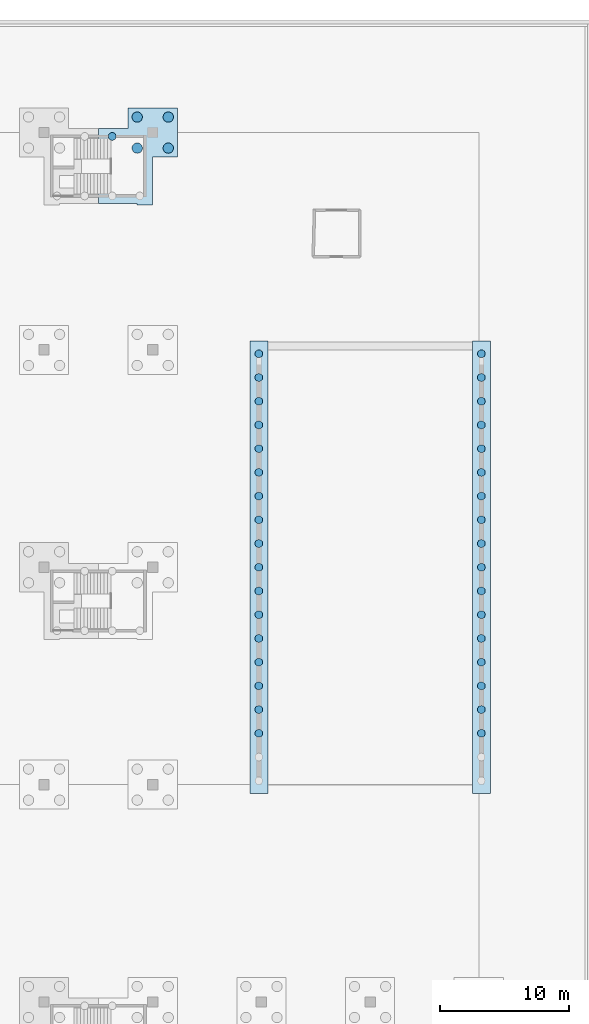
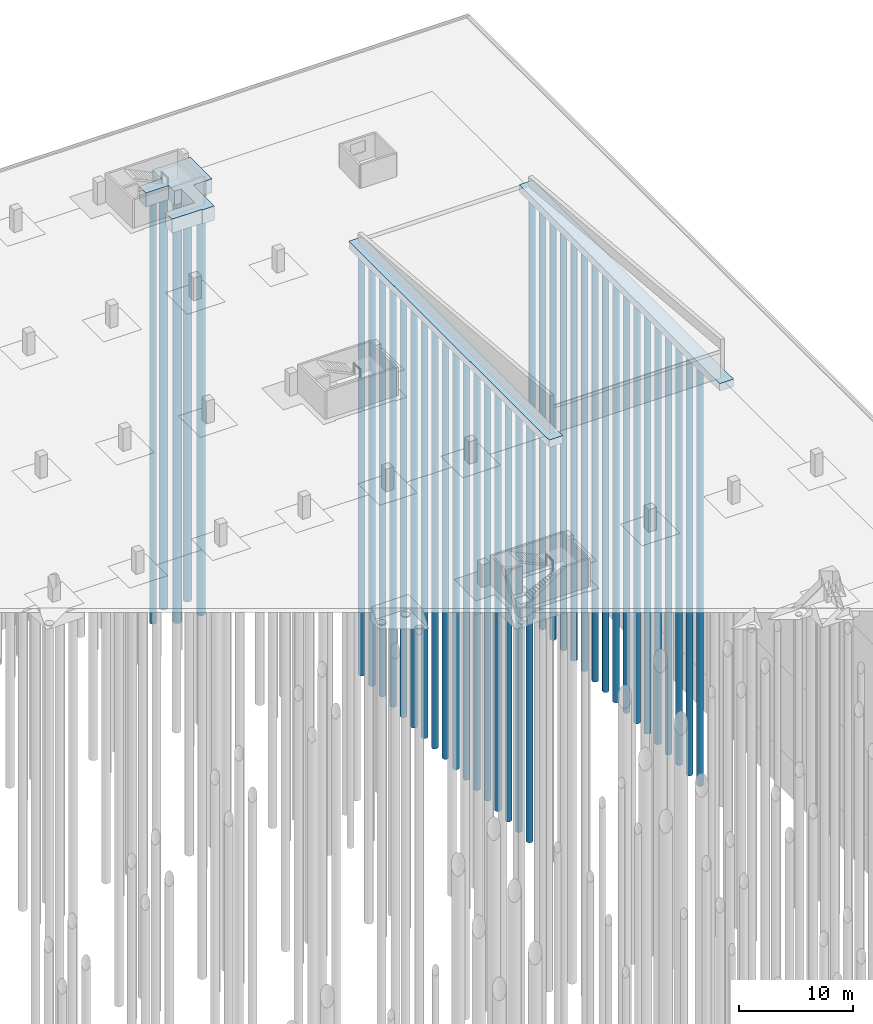
# One storey, part 25 of 67: 39 piles, 3 footings.
"""IFC4 building model written with IfcOpenShell, lengths in metres."""

from ifc_helpers import new_model, si_unit, direction, frame, origin, origin_2d, place, context, subcontext, project, spatial, polyline, circle, outline, extrude, material, material_profile, profile_set, type_object, element, save


model = new_model("IFC4")

# Units and contexts
model_context = context("Model", 3, precision=1e-05, world=origin(), true_north=direction((0.0, 1.0)))
body_context = subcontext(model_context, "Body", "Model", "MODEL_VIEW")
ifc_project = project(units=[si_unit("LENGTHUNIT", "METRE"), si_unit("AREAUNIT", "SQUARE_METRE"), si_unit("VOLUMEUNIT", "CUBIC_METRE"), si_unit("PLANEANGLEUNIT", "RADIAN"), si_unit("MASSUNIT", "GRAM", prefix="KILO")], contexts=[model_context])

# Site, building, storey
site_placement = place(None, origin())
site = spatial("IfcSite", under=ifc_project, at=site_placement, CompositionType="ELEMENT")
building_placement = place(site_placement, origin())
building = spatial("IfcBuilding", under=site, at=building_placement, Name="Rain Tree Exposition and Congress Centre", CompositionType="ELEMENT")
storey_placement = place(building_placement, frame((0.0, 0.0, -3.0)))
storey = spatial("IfcBuildingStorey", under=building, at=storey_placement, Name="B1", CompositionType="ELEMENT", Elevation=-3.0)

# Piles
ifc_material_1 = material(Name="Concrete C35/45", Category="concrete")
ifc_material_profile_1 = material_profile(ifc_material_1, circle(Radius=0.300048828125, at=origin_2d()), Name="D600")
ifc_profile_set_1 = profile_set([ifc_material_profile_1], Name="Concrete C35/45")
pile_type_1 = type_object("IfcPileType", Name="Bored pile D600", PredefinedType="BORED", material=ifc_profile_set_1)
for number, where, z_axis, x_axis, name in (
    (1, (269.0, 268.5, -0.72509765625), (0.0, 0.0, -1.0), (1.0, 0.0, 0.0), "Bored pile 1454"),
    (2, (269.0, 266.666748046875, -0.72509765625), (0.0, 0.0, -1.0), (1.0, 0.0, 0.0), "Bored pile 1455"),
    (3, (269.0, 264.833251953125, -0.72509765625), (0.0, 0.0, -1.0), (1.0, 0.0, 0.0), "Bored pile 1456"),
    (4, (269.0, 263.0, -0.72509765625), (0.0, 0.0, -1.0), (1.0, 0.0, 0.0), "Bored pile 1457"),
    (5, (269.0, 261.166748046875, -0.72509765625), (0.0, 0.0, -1.0), (1.0, 0.0, 0.0), "Bored pile 1458"),
    (6, (269.0, 259.333251953125, -0.72509765625), (0.0, 0.0, -1.0), (1.0, 0.0, 0.0), "Bored pile 1459"),
    (7, (269.0, 257.5, -0.72509765625), (0.0, 0.0, -1.0), (1.0, 0.0, 0.0), "Bored pile 1460"),
    (8, (269.0, 255.666748046875, -0.72509765625), (0.0, 0.0, -1.0), (1.0, 0.0, 0.0), "Bored pile 1461"),
    (9, (269.0, 253.833251953125, -0.72509765625), (0.0, 0.0, -1.0), (1.0, 0.0, 0.0), "Bored pile 1462"),
    (10, (269.0, 252.0, -0.72509765625), (0.0, 0.0, -1.0), (1.0, 0.0, 0.0), "Bored pile 1463"),
    (11, (269.0, 250.166748046875, -0.72509765625), (0.0, 0.0, -1.0), (1.0, 0.0, 0.0), "Bored pile 1464"),
    (12, (269.0, 248.333251953125, -0.72509765625), (0.0, 0.0, -1.0), (1.0, 0.0, 0.0), "Bored pile 1465"),
    (13, (269.0, 246.5, -0.72509765625), (0.0, 0.0, -1.0), (1.0, 0.0, 0.0), "Bored pile 1466"),
    (14, (269.0, 244.666748046875, -0.72509765625), (0.0, 0.0, -1.0), (1.0, 0.0, 0.0), "Bored pile 1467"),
    (15, (269.0, 242.833251953125, -0.72509765625), (0.0, 0.0, -1.0), (1.0, 0.0, 0.0), "Bored pile 1468"),
    (16, (269.0, 241.0, -0.72509765625), (0.0, 0.0, -1.0), (1.0, 0.0, 0.0), "Bored pile 1469"),
    (17, (269.0, 239.166748046875, -0.72509765625), (0.0, 0.0, -1.0), (1.0, 0.0, 0.0), "Bored pile 1470"),
    (18, (251.800048828125, 268.5, -0.72509765625), (0.0, 0.0, -1.0), (1.0, 0.0, 0.0), "Bored pile 1481"),
    (19, (251.800048828125, 266.666748046875, -0.72509765625), (0.0, 0.0, -1.0), (1.0, 0.0, 0.0), "Bored pile 1482"),
    (20, (251.800048828125, 264.833251953125, -0.72509765625), (0.0, 0.0, -1.0), (1.0, 0.0, 0.0), "Bored pile 1483"),
    (21, (251.800048828125, 263.0, -0.72509765625), (0.0, 0.0, -1.0), (1.0, 0.0, 0.0), "Bored pile 1484"),
    (22, (251.800048828125, 261.166748046875, -0.72509765625), (0.0, 0.0, -1.0), (1.0, 0.0, 0.0), "Bored pile 1485"),
    (23, (251.800048828125, 259.333251953125, -0.72509765625), (0.0, 0.0, -1.0), (1.0, 0.0, 0.0), "Bored pile 1486"),
    (24, (251.800048828125, 257.5, -0.72509765625), (0.0, 0.0, -1.0), (1.0, 0.0, 0.0), "Bored pile 1487"),
    (25, (251.800048828125, 255.666748046875, -0.72509765625), (0.0, 0.0, -1.0), (1.0, 0.0, 0.0), "Bored pile 1488"),
    (26, (251.800048828125, 253.833251953125, -0.72509765625), (0.0, 0.0, -1.0), (1.0, 0.0, 0.0), "Bored pile 1489"),
    (27, (251.800048828125, 252.0, -0.72509765625), (0.0, 0.0, -1.0), (1.0, 0.0, 0.0), "Bored pile 1490"),
    (28, (251.800048828125, 250.166748046875, -0.72509765625), (0.0, 0.0, -1.0), (1.0, 0.0, 0.0), "Bored pile 1491"),
    (29, (251.800048828125, 248.333251953125, -0.72509765625), (0.0, 0.0, -1.0), (1.0, 0.0, 0.0), "Bored pile 1492"),
    (30, (251.800048828125, 246.5, -0.72509765625), (0.0, 0.0, -1.0), (1.0, 0.0, 0.0), "Bored pile 1493"),
    (31, (251.800048828125, 244.666748046875, -0.72509765625), (0.0, 0.0, -1.0), (1.0, 0.0, 0.0), "Bored pile 1494"),
    (32, (251.800048828125, 242.833251953125, -0.72509765625), (0.0, 0.0, -1.0), (1.0, 0.0, 0.0), "Bored pile 1495"),
    (33, (251.800048828125, 241.0, -0.72509765625), (0.0, 0.0, -1.0), (1.0, 0.0, 0.0), "Bored pile 1496"),
    (34, (251.800048828125, 239.166748046875, -0.72509765625), (0.0, 0.0, -1.0), (1.0, 0.0, 0.0), "Bored pile 1497"),
    (35, (240.466796875, 285.300048828125, -1.425048828125), (0.0, 0.0, -1.0), (1.0, 0.0, 0.0), "Bored pile 1520"),
):
    element("IfcPile", number, at=place(storey_placement, frame(where, z_axis=z_axis, x_axis=x_axis)), inside=storey, type_object=pile_type_1, Name=name, PredefinedType="BORED", context=body_context, shape_type="SweptSolid", body=[
        extrude(circle(Radius=0.300048828125, at=origin_2d()), origin(), (0.0, 0.0, 1.0), 45.074951171875),
    ])
ifc_material_2 = material(Name="Concrete C35/45", Category="concrete")
ifc_material_profile_2 = material_profile(ifc_material_2, circle(Radius=0.39990234375, at=origin_2d()), Name="D800")
ifc_profile_set_2 = profile_set([ifc_material_profile_2], Name="Concrete C35/45")
pile_type_2 = type_object("IfcPileType", Name="Bored pile D800", PredefinedType="BORED", material=ifc_profile_set_2)
for number, where, z_axis, x_axis, name in (
    (36, (242.39990234375, 284.39990234375, -1.425048828125), (0.0, 0.0, -1.0), (1.0, 0.0, 0.0), "Bored pile 1521"),
    (37, (242.39990234375, 286.800048828125, -1.425048828125), (0.0, 0.0, -1.0), (1.0, 0.0, 0.0), "Bored pile 1522"),
    (38, (244.800048828125, 284.39990234375, -1.425048828125), (0.0, 0.0, -1.0), (1.0, 0.0, 0.0), "Bored pile 1524"),
    (39, (244.800048828125, 286.800048828125, -1.425048828125), (0.0, 0.0, -1.0), (1.0, 0.0, 0.0), "Bored pile 1525"),
):
    element("IfcPile", number, at=place(storey_placement, frame(where, z_axis=z_axis, x_axis=x_axis)), inside=storey, type_object=pile_type_2, Name=name, PredefinedType="BORED", context=body_context, shape_type="SweptSolid", body=[
        extrude(circle(Radius=0.39990234375, at=origin_2d()), origin(), (0.0, 0.0, 1.0), 45.074951171875),
    ])

# Footings
ifc_material_3 = material(Name="Concrete C35/45", Category="concrete")
footing_type_1 = type_object("IfcFootingType", Name="Strip footing 1500 thick", PredefinedType="STRIP_FOOTING", material=ifc_material_3)
footing_1_placement = place(storey_placement, frame((0.0, 0.0, -1.5)))
element("IfcFooting", 40, at=footing_1_placement, inside=storey, type_object=footing_type_1, Name="Strip footing 045", PredefinedType="STRIP_FOOTING", context=body_context, shape_type="SweptSolid", body=[
    extrude(outline(polyline([(241.699951171875, 285.89990234375), (239.39990234375, 285.89990234375), (239.39990234375, 284.699951171875), (241.699951171875, 284.699951171875), (241.699951171875, 283.699951171875), (242.39990234375, 283.699951171875), (242.39990234375, 281.300048828125), (239.39990234375, 281.300048828125), (239.39990234375, 280.10009765625), (242.39990234375, 280.10009765625), (242.39990234375, 280.0), (243.60009765625, 280.0), (243.60009765625, 280.60009765625), (243.60009765625, 283.699951171875), (245.5, 283.699951171875), (245.5, 287.5), (241.699951171875, 287.5), (241.699951171875, 285.89990234375)])), origin(), (0.0, 0.0, 1.0), 1.5),
])
ifc_material_4 = material(Name="Concrete C35/45", Category="concrete")
footing_type_2 = type_object("IfcFootingType", Name="Strip footing 800 thick", PredefinedType="STRIP_FOOTING", material=ifc_material_4)
footing_2_placement = place(storey_placement, frame((0.0, 0.0, -0.800048828125)))
element("IfcFooting", 41, at=footing_2_placement, inside=storey, type_object=footing_type_2, Name="Strip footing 042", PredefinedType="STRIP_FOOTING", context=body_context, shape_type="SweptSolid", body=[
    extrude(outline(polyline([(269.699951171875, 235.199951171875), (269.699951171875, 269.5), (268.300048828125, 269.5), (268.300048828125, 268.800048828125), (268.300048828125, 234.5), (269.699951171875, 234.5), (269.699951171875, 235.199951171875)])), origin(), (0.0, 0.0, 1.0), 0.800048828125),
])
footing_3_placement = place(storey_placement, frame((0.0, 0.0, -0.800048828125)))
element("IfcFooting", 42, at=footing_3_placement, inside=storey, type_object=footing_type_2, Name="Strip footing 043", PredefinedType="STRIP_FOOTING", context=body_context, shape_type="SweptSolid", body=[
    extrude(outline(polyline([(252.5, 235.199951171875), (252.5, 269.5), (251.10009765625, 269.5), (251.10009765625, 268.800048828125), (251.10009765625, 234.5), (252.5, 234.5), (252.5, 235.199951171875)])), origin(), (0.0, 0.0, 1.0), 0.800048828125),
])

save(model, "model.ifc")
